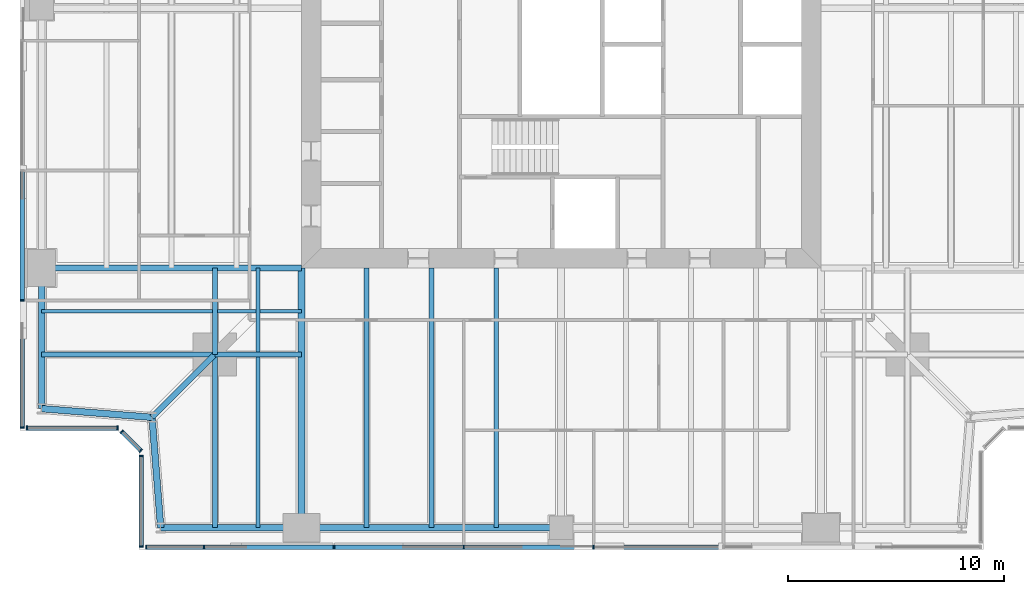
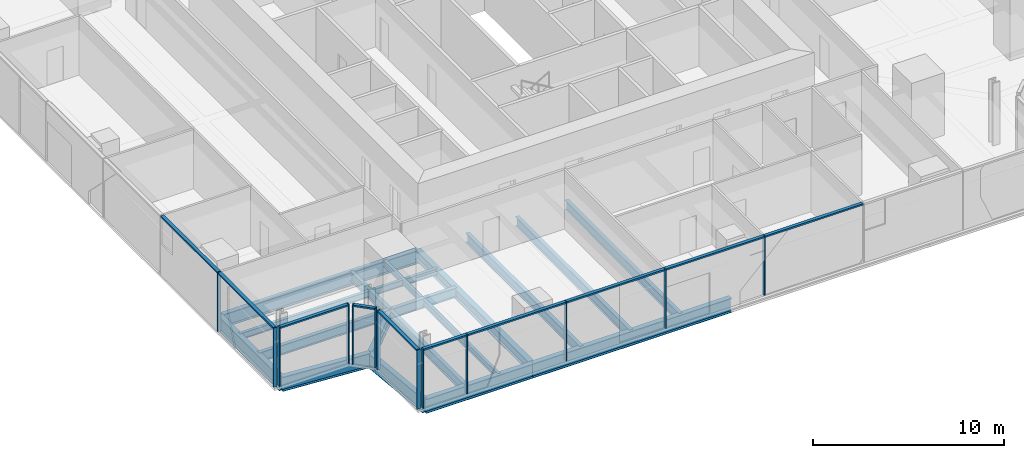
# One storey, part 2 of 15: 23 members, 20 beams, 5 elements without a shape of their own.
"""IFC4 building model written with IfcOpenShell, lengths in metres."""

from ifc_helpers import new_model, si_unit, direction, frame, origin, origin_2d, place, context, subcontext, project, spatial, rectangle, i_section, extrude, material, material_profile, profile_set, type_object, element, aggregate, save


model = new_model("IFC4")

# Units and contexts
model_context = context("Model", 3, precision=1e-05, world=origin(), true_north=direction((0.0, 1.0)))
body_context = subcontext(model_context, "Body", "Model", "MODEL_VIEW")
ifc_project = project(units=[si_unit("LENGTHUNIT", "METRE"), si_unit("AREAUNIT", "SQUARE_METRE"), si_unit("VOLUMEUNIT", "CUBIC_METRE"), si_unit("PLANEANGLEUNIT", "RADIAN"), si_unit("MASSUNIT", "GRAM", prefix="KILO")], contexts=[model_context])

# Site, building, storey
site_placement = place(None, origin())
site = spatial("IfcSite", under=ifc_project, at=site_placement, CompositionType="ELEMENT")
building_placement = place(site_placement, origin())
building = spatial("IfcBuilding", under=site, at=building_placement, Name="Fenwick Lantern Interchange", CompositionType="ELEMENT")
storey_placement = place(building_placement, frame((0.0, 0.0, 229.800048828125)))
storey = spatial("IfcBuildingStorey", under=building, at=storey_placement, Name="L54", CompositionType="ELEMENT", Elevation=229.800048828125)

# Beams
ifc_material_1 = material(Name="Steel ASTM A992 Grade 50", Category="steel")
ifc_material_profile_1 = material_profile(ifc_material_1, i_section(OverallWidth=0.3046875, OverallDepth=0.911865234375, WebThickness=0.015869140625, FlangeThickness=0.02392578125, at=origin_2d()), Name="W36X150")
ifc_profile_set_1 = profile_set([ifc_material_profile_1], Name="Steel ASTM A992 Grade 50")
beam_type_1 = type_object("IfcBeamType", Name="EDGE BEAM W36X150", PredefinedType="SPANDREL", material=ifc_profile_set_1)
beam_1_placement = place(storey_placement, frame((6.5, 1.0, -0.60595703125), z_axis=(1.0, 0.0, 0.0), x_axis=(0.0, 1.0, 0.0)))
element("IfcBeam", 1, at=beam_1_placement, inside=storey, type_object=beam_type_1, Name="L54/FR/S/EB1", PredefinedType="SPANDREL", context=body_context, shape_type="SweptSolid", body=[
    extrude(i_section(OverallWidth=0.3046875, OverallDepth=0.911865234375, WebThickness=0.015869140625, FlangeThickness=0.02392578125, at=origin_2d()), origin(), (0.0, 0.0, 1.0), 6.5),
])
beam_2_placement = place(storey_placement, frame((13.0, 1.0, -0.60595703125), z_axis=(1.0, 0.0, 0.0), x_axis=(0.0, 1.0, 0.0)))
element("IfcBeam", 2, at=beam_2_placement, inside=storey, type_object=beam_type_1, Name="L54/FR/S/EB2", PredefinedType="SPANDREL", context=body_context, shape_type="SweptSolid", body=[
    extrude(i_section(OverallWidth=0.3046875, OverallDepth=0.911865234375, WebThickness=0.015869140625, FlangeThickness=0.02392578125, at=origin_2d()), origin(), (0.0, 0.0, 1.0), 12.0),
])
beam_3_placement = place(storey_placement, frame((1.0, 13.0, -0.60595703125), z_axis=(0.0, -1.0, 0.0), x_axis=(1.0, 0.0, 0.0)))
element("IfcBeam", 3, at=beam_3_placement, inside=storey, type_object=beam_type_1, Name="L54/FR/W/EB4", PredefinedType="SPANDREL", context=body_context, shape_type="SweptSolid", body=[
    extrude(i_section(OverallWidth=0.3046875, OverallDepth=0.911865234375, WebThickness=0.015869140625, FlangeThickness=0.02392578125, at=origin_2d()), origin(), (0.0, 0.0, 1.0), 6.5),
])
for number, where, z_axis, x_axis, name in (
    (4, (1.0, 6.5, -0.60595703125), (0.99693998236, -0.078170784639, 0.0), (0.078170784639, 0.99693998236, 0.0), "L54/FR/W/EBR1"),
    (5, (6.10009765625, 6.10009765625, -0.60595703125), (0.078170784639, -0.99693998236, 0.0), (0.99693998236, 0.078170784639, 0.0), "L54/FR/W/EBR2"),
):
    element("IfcBeam", number, at=place(storey_placement, frame(where, z_axis=z_axis, x_axis=x_axis)), inside=storey, type_object=beam_type_1, Name=name, PredefinedType="SPANDREL", context=body_context, shape_type="SweptSolid", body=[
        extrude(i_section(OverallWidth=0.3046875, OverallDepth=0.911865234375, WebThickness=0.015869140625, FlangeThickness=0.02392578125, at=origin_2d()), origin(), (0.0, 0.0, 1.0), 5.11572265625),
    ])
ifc_material_profile_2 = material_profile(ifc_material_1, i_section(OverallWidth=0.22900390625, OverallDepth=0.612060546875, WebThickness=0.011962890625, FlangeThickness=0.01953125, at=origin_2d()), Name="W24X84")
ifc_profile_set_2 = profile_set([ifc_material_profile_2], Name="Steel ASTM A992 Grade 50")
beam_type_2 = type_object("IfcBeamType", Name="FLOOR BEAM W24X84", PredefinedType="BEAM", material=ifc_profile_set_2)
for number, where, z_axis, x_axis, name in (
    (6, (16.0, 1.0, -0.4560546875), (0.0, 1.0, 0.0), (-1.0, 0.0, 0.0), "L54/FR/S/R02"),
    (7, (19.0, 1.0, -0.4560546875), (0.0, 1.0, 0.0), (-1.0, 0.0, 0.0), "L54/FR/S/R03"),
    (8, (22.0, 1.0, -0.4560546875), (0.0, 1.0, 0.0), (-1.0, 0.0, 0.0), "L54/FR/S/R04"),
):
    element("IfcBeam", number, at=place(storey_placement, frame(where, z_axis=z_axis, x_axis=x_axis)), inside=storey, type_object=beam_type_2, Name=name, PredefinedType="BEAM", context=body_context, shape_type="SweptSolid", body=[
        extrude(i_section(OverallWidth=0.22900390625, OverallDepth=0.612060546875, WebThickness=0.011962890625, FlangeThickness=0.01953125, at=origin_2d()), origin(), (0.0, 0.0, 1.0), 12.0),
    ])
ifc_material_profile_3 = material_profile(ifc_material_1, i_section(OverallWidth=0.177734375, OverallDepth=0.406494140625, WebThickness=0.0078125, FlangeThickness=0.012939453125, at=origin_2d()), Name="W16X40")
ifc_profile_set_3 = profile_set([ifc_material_profile_3], Name="Steel ASTM A992 Grade 50")
beam_type_3 = type_object("IfcBeamType", Name="INFILL BEAM W16X40", PredefinedType="JOIST", material=ifc_profile_set_3)
beam_4_placement = place(storey_placement, frame((11.0, 1.0, -0.353271484375), z_axis=(0.0, 1.0, 0.0), x_axis=(-1.0, 0.0, 0.0)))
element("IfcBeam", 9, at=beam_4_placement, inside=storey, type_object=beam_type_3, Name="L54/FR/S/J1", PredefinedType="JOIST", context=body_context, shape_type="SweptSolid", body=[
    extrude(i_section(OverallWidth=0.177734375, OverallDepth=0.406494140625, WebThickness=0.0078125, FlangeThickness=0.012939453125, at=origin_2d()), origin(), (0.0, 0.0, 1.0), 7.885498046875),
])
beam_5_placement = place(storey_placement, frame((11.0, 9.114501953125, -0.353271484375), z_axis=(0.0, 1.0, 0.0), x_axis=(-1.0, 0.0, 0.0)))
element("IfcBeam", 10, at=beam_5_placement, inside=storey, type_object=beam_type_3, Name="L54/FR/S/J2", PredefinedType="JOIST", context=body_context, shape_type="SweptSolid", body=[
    extrude(i_section(OverallWidth=0.177734375, OverallDepth=0.406494140625, WebThickness=0.0078125, FlangeThickness=0.012939453125, at=origin_2d()), origin(), (0.0, 0.0, 1.0), 3.885498046875),
])
beam_6_placement = place(storey_placement, frame((1.0, 11.0, -0.353271484375), z_axis=(1.0, 0.0, 0.0), x_axis=(0.0, 1.0, 0.0)))
element("IfcBeam", 11, at=beam_6_placement, inside=storey, type_object=beam_type_3, Name="L54/FR/S/J3", PredefinedType="JOIST", context=body_context, shape_type="SweptSolid", body=[
    extrude(i_section(OverallWidth=0.177734375, OverallDepth=0.406494140625, WebThickness=0.0078125, FlangeThickness=0.012939453125, at=origin_2d()), origin(), (0.0, 0.0, 1.0), 7.885498046875),
])
beam_7_placement = place(storey_placement, frame((9.114501953125, 11.0, -0.353271484375), z_axis=(1.0, 0.0, 0.0), x_axis=(0.0, 1.0, 0.0)))
element("IfcBeam", 12, at=beam_7_placement, inside=storey, type_object=beam_type_3, Name="L54/FR/S/J4", PredefinedType="JOIST", context=body_context, shape_type="SweptSolid", body=[
    extrude(i_section(OverallWidth=0.177734375, OverallDepth=0.406494140625, WebThickness=0.0078125, FlangeThickness=0.012939453125, at=origin_2d()), origin(), (0.0, 0.0, 1.0), 1.796630859375),
])
beam_8_placement = place(storey_placement, frame((11.0888671875, 11.0, -0.353271484375), z_axis=(1.0, 0.0, 0.0), x_axis=(0.0, 1.0, 0.0)))
element("IfcBeam", 13, at=beam_8_placement, inside=storey, type_object=beam_type_3, Name="L54/FR/S/J5", PredefinedType="JOIST", context=body_context, shape_type="SweptSolid", body=[
    extrude(i_section(OverallWidth=0.177734375, OverallDepth=0.406494140625, WebThickness=0.0078125, FlangeThickness=0.012939453125, at=origin_2d()), origin(), (0.0, 0.0, 1.0), 1.9111328125),
])
ifc_material_profile_4 = material_profile(ifc_material_1, i_section(OverallWidth=0.22900390625, OverallDepth=0.612060546875, WebThickness=0.011962890625, FlangeThickness=0.01953125, at=origin_2d()), Name="W24X84")
ifc_profile_set_4 = profile_set([ifc_material_profile_4], Name="Steel ASTM A992 Grade 50")
beam_type_4 = type_object("IfcBeamType", Name="MEGA COLUMN BEAM W24X84", PredefinedType="BEAM", material=ifc_profile_set_4)
for number, where, z_axis, x_axis, name in (
    (14, (9.0, 9.0, -0.4560546875), (0.0, -1.0, 0.0), (1.0, 0.0, 0.0), "L54/FR/S/MB1"),
    (15, (9.0, 9.0, -0.4560546875), (-1.0, 0.0, 0.0), (0.0, -1.0, 0.0), "L54/FR/S/MB2"),
):
    element("IfcBeam", number, at=place(storey_placement, frame(where, z_axis=z_axis, x_axis=x_axis)), inside=storey, type_object=beam_type_4, Name=name, PredefinedType="BEAM", context=body_context, shape_type="SweptSolid", body=[
        extrude(i_section(OverallWidth=0.22900390625, OverallDepth=0.612060546875, WebThickness=0.011962890625, FlangeThickness=0.01953125, at=origin_2d()), origin(), (0.0, 0.0, 1.0), 8.0),
    ])
for number, where, z_axis, x_axis, name in (
    (16, (9.0, 9.0, -0.4560546875), (1.0, 0.0, 0.0), (0.0, 1.0, 0.0), "L54/FR/S/MB3"),
    (17, (9.0, 9.0, -0.4560546875), (0.0, 1.0, 0.0), (-1.0, 0.0, 0.0), "L54/FR/S/MB4"),
):
    element("IfcBeam", number, at=place(storey_placement, frame(where, z_axis=z_axis, x_axis=x_axis)), inside=storey, type_object=beam_type_4, Name=name, PredefinedType="BEAM", context=body_context, shape_type="SweptSolid", body=[
        extrude(i_section(OverallWidth=0.22900390625, OverallDepth=0.612060546875, WebThickness=0.011962890625, FlangeThickness=0.01953125, at=origin_2d()), origin(), (0.0, 0.0, 1.0), 4.0),
    ])
ifc_material_profile_5 = material_profile(ifc_material_1, i_section(OverallWidth=0.32763671875, OverallDepth=0.622314453125, WebThickness=0.015380859375, FlangeThickness=0.0244140625, at=origin_2d()), Name="W24X131")
ifc_profile_set_5 = profile_set([ifc_material_profile_5], Name="Steel ASTM A992 Grade 50")
beam_type_5 = type_object("IfcBeamType", Name="MOMENT-CONNECTED GIRDER W24X131", PredefinedType="BEAM", material=ifc_profile_set_5)
beam_9_placement = place(storey_placement, frame((13.0, 1.0, -0.461181640625), z_axis=(0.0, 1.0, 0.0), x_axis=(-1.0, 0.0, 0.0)))
element("IfcBeam", 18, at=beam_9_placement, inside=storey, type_object=beam_type_5, Name="L54/FR/S/R01", PredefinedType="BEAM", context=body_context, shape_type="SweptSolid", body=[
    extrude(i_section(OverallWidth=0.32763671875, OverallDepth=0.622314453125, WebThickness=0.015380859375, FlangeThickness=0.0244140625, at=origin_2d()), origin(), (0.0, 0.0, 1.0), 12.0),
])
ifc_material_profile_6 = material_profile(ifc_material_1, i_section(OverallWidth=0.2919921875, OverallDepth=0.845703125, WebThickness=0.015380859375, FlangeThickness=0.0244140625, at=origin_2d()), Name="W33X141")
ifc_profile_set_6 = profile_set([ifc_material_profile_6], Name="Steel ASTM A992 Grade 50")
beam_type_6 = type_object("IfcBeamType", Name="MOMENT-CONNECTED GIRDER W33X141", PredefinedType="BEAM", material=ifc_profile_set_6)
beam_10_placement = place(storey_placement, frame((1.0, 13.0, -0.572998046875), z_axis=(1.0, 0.0, 0.0), x_axis=(0.0, 1.0, 0.0)))
element("IfcBeam", 19, at=beam_10_placement, inside=storey, type_object=beam_type_6, Name="L54/FR/W/R03", PredefinedType="BEAM", context=body_context, shape_type="SweptSolid", body=[
    extrude(i_section(OverallWidth=0.2919921875, OverallDepth=0.845703125, WebThickness=0.015380859375, FlangeThickness=0.0244140625, at=origin_2d()), origin(), (0.0, 0.0, 1.0), 12.0),
])
ifc_material_profile_7 = material_profile(ifc_material_1, i_section(OverallWidth=0.2666015625, OverallDepth=0.7568359375, WebThickness=0.013916015625, FlangeThickness=0.019287109375, at=origin_2d()), Name="W30X108")
ifc_profile_set_7 = profile_set([ifc_material_profile_7], Name="Steel ASTM A992 Grade 50")
beam_type_7 = type_object("IfcBeamType", Name="NOTCH BEAM W30X108", PredefinedType="BEAM", material=ifc_profile_set_7)
beam_11_placement = place(storey_placement, frame((9.0, 9.0, -0.528564453125), z_axis=(-0.707106781187, -0.707106781187, 0.0), x_axis=(0.707106781187, -0.707106781187, 0.0)))
element("IfcBeam", 20, at=beam_11_placement, inside=storey, type_object=beam_type_7, Name="L54/FR/S/TG", PredefinedType="BEAM", context=body_context, shape_type="SweptSolid", body=[
    extrude(i_section(OverallWidth=0.2666015625, OverallDepth=0.7568359375, WebThickness=0.013916015625, FlangeThickness=0.019287109375, at=origin_2d()), origin(), (0.0, 0.0, 1.0), 4.10107421875),
])

# Curtain wall, members
ifc_material_2 = material(Name="Aluminium curtain wall frame", Category="aluminium")
curtain_wall_type = type_object("IfcCurtainWallType", Name="OFFICE CURTAIN WALL", PredefinedType="USERDEFINED", material=ifc_material_2)
curtain_wall_1_placement = place(storey_placement, origin())
curtain_wall_1 = element("IfcCurtainWall", 21, at=curtain_wall_1_placement, inside=storey, type_object=curtain_wall_type, Name="Office curtain wall 01", ObjectType="OFFICE CURTAIN WALL", PredefinedType="USERDEFINED")
ifc_material_3 = material(Name="Aluminium extrusion", Category="aluminium")
ifc_material_profile_8 = material_profile(ifc_material_3, rectangle(XDim=0.199951171875, YDim=0.06494140625, at=origin_2d()), Name="OFFICE CURTAIN WALL MULLION 65 X 200")
ifc_profile_set_8 = profile_set([ifc_material_profile_8], Name="Aluminium extrusion")
member_type_1 = type_object("IfcMemberType", Name="OFFICE CURTAIN WALL MULLION 65 X 200", PredefinedType="MULLION", material=ifc_profile_set_8)
member_1_placement = place(storey_placement, frame((5.83251953125, 0.10009765625, 0.0), z_axis=(0.0, 0.0, 1.0), x_axis=(0.0, 1.0, 0.0)))
member_1 = element("IfcMember", 22, at=member_1_placement, type_object=member_type_1, Name="L54/CW/01/M00", PredefinedType="MULLION", context=body_context, shape_type="SweptSolid", body=[
    extrude(rectangle(XDim=0.199951171875, YDim=0.06494140625, at=origin_2d()), origin(), (0.0, 0.0, 1.0), 3.800048828125),
])
member_2_placement = place(storey_placement, frame((8.5, 0.10009765625, 0.0), z_axis=(0.0, 0.0, 1.0), x_axis=(0.0, 1.0, 0.0)))
member_2 = element("IfcMember", 23, at=member_2_placement, type_object=member_type_1, Name="L54/CW/01/M01", PredefinedType="MULLION", context=body_context, shape_type="SweptSolid", body=[
    extrude(rectangle(XDim=0.199951171875, YDim=0.06494140625, at=origin_2d()), origin(), (0.0, 0.0, 1.0), 3.800048828125),
])
member_3_placement = place(storey_placement, frame((14.5, 0.10009765625, 0.0), z_axis=(0.0, 0.0, 1.0), x_axis=(0.0, 1.0, 0.0)))
member_3 = element("IfcMember", 24, at=member_3_placement, type_object=member_type_1, Name="L54/CW/01/M02", PredefinedType="MULLION", context=body_context, shape_type="SweptSolid", body=[
    extrude(rectangle(XDim=0.199951171875, YDim=0.06494140625, at=origin_2d()), origin(), (0.0, 0.0, 1.0), 3.800048828125),
])
member_4_placement = place(storey_placement, frame((20.5, 0.10009765625, 0.0), z_axis=(0.0, 0.0, 1.0), x_axis=(0.0, 1.0, 0.0)))
member_4 = element("IfcMember", 25, at=member_4_placement, type_object=member_type_1, Name="L54/CW/01/M03", PredefinedType="MULLION", context=body_context, shape_type="SweptSolid", body=[
    extrude(rectangle(XDim=0.199951171875, YDim=0.06494140625, at=origin_2d()), origin(), (0.0, 0.0, 1.0), 3.800048828125),
])
member_5_placement = place(storey_placement, frame((26.5, 0.10009765625, 0.0), z_axis=(0.0, 0.0, 1.0), x_axis=(0.0, 1.0, 0.0)))
member_5 = element("IfcMember", 26, at=member_5_placement, type_object=member_type_1, Name="L54/CW/01/M04", PredefinedType="MULLION", context=body_context, shape_type="SweptSolid", body=[
    extrude(rectangle(XDim=0.199951171875, YDim=0.06494140625, at=origin_2d()), origin(), (0.0, 0.0, 1.0), 3.800048828125),
])

curtain_wall_2_placement = place(storey_placement, origin())
curtain_wall_2 = element("IfcCurtainWall", 27, at=curtain_wall_2_placement, inside=storey, type_object=curtain_wall_type, Name="Office curtain wall 13", ObjectType="OFFICE CURTAIN WALL", PredefinedType="USERDEFINED")
member_6_placement = place(storey_placement, frame((0.10009765625, 11.5, 0.0), z_axis=(0.0, 0.0, 1.0), x_axis=(1.0, 0.0, 0.0)))
member_6 = element("IfcMember", 28, at=member_6_placement, type_object=member_type_1, Name="L54/CW/13/M06", PredefinedType="MULLION", context=body_context, shape_type="SweptSolid", body=[
    extrude(rectangle(XDim=0.199951171875, YDim=0.06494140625, at=origin_2d()), origin(), (0.0, 0.0, 1.0), 3.800048828125),
])
member_7_placement = place(storey_placement, frame((0.10009765625, 5.632568359375, 0.0), z_axis=(0.0, 0.0, 1.0), x_axis=(1.0, 0.0, 0.0)))
member_7 = element("IfcMember", 29, at=member_7_placement, type_object=member_type_1, Name="L54/CW/13/M07", PredefinedType="MULLION", context=body_context, shape_type="SweptSolid", body=[
    extrude(rectangle(XDim=0.199951171875, YDim=0.06494140625, at=origin_2d()), origin(), (0.0, 0.0, 1.0), 3.800048828125),
])

curtain_wall_3_placement = place(storey_placement, origin())
curtain_wall_3 = element("IfcCurtainWall", 30, at=curtain_wall_3_placement, inside=storey, type_object=curtain_wall_type, Name="Office curtain wall 14", ObjectType="OFFICE CURTAIN WALL", PredefinedType="USERDEFINED")
member_8_placement = place(storey_placement, frame((0.33251953125, 5.60009765625, 0.0), z_axis=(0.0, 0.0, 1.0), x_axis=(0.0, 1.0, 0.0)))
member_8 = element("IfcMember", 31, at=member_8_placement, type_object=member_type_1, Name="L54/CW/14/M00", PredefinedType="MULLION", context=body_context, shape_type="SweptSolid", body=[
    extrude(rectangle(XDim=0.199951171875, YDim=0.06494140625, at=origin_2d()), origin(), (0.0, 0.0, 1.0), 3.800048828125),
])
member_9_placement = place(storey_placement, frame((4.509033203125, 5.60009765625, 0.0), z_axis=(0.0, 0.0, 1.0), x_axis=(0.0, 1.0, 0.0)))
member_9 = element("IfcMember", 32, at=member_9_placement, type_object=member_type_1, Name="L54/CW/14/M01", PredefinedType="MULLION", context=body_context, shape_type="SweptSolid", body=[
    extrude(rectangle(XDim=0.199951171875, YDim=0.06494140625, at=origin_2d()), origin(), (0.0, 0.0, 1.0), 3.800048828125),
])

curtain_wall_4_placement = place(storey_placement, origin())
curtain_wall_4 = element("IfcCurtainWall", 33, at=curtain_wall_4_placement, inside=storey, type_object=curtain_wall_type, Name="Office curtain wall 15", ObjectType="OFFICE CURTAIN WALL", PredefinedType="USERDEFINED")
member_10_placement = place(storey_placement, frame((4.705810546875, 5.435546875, 0.0), z_axis=(0.0, 0.0, 1.0), x_axis=(0.707106781187, 0.707106781187, 0.0)))
member_10 = element("IfcMember", 34, at=member_10_placement, type_object=member_type_1, Name="L54/CW/15/M00", PredefinedType="MULLION", context=body_context, shape_type="SweptSolid", body=[
    extrude(rectangle(XDim=0.199951171875, YDim=0.06494140625, at=origin_2d()), origin(), (0.0, 0.0, 1.0), 3.800048828125),
])
member_11_placement = place(storey_placement, frame((5.576904296875, 4.564453125, 0.0), z_axis=(0.0, 0.0, 1.0), x_axis=(0.707106781187, 0.707106781187, 0.0)))
member_11 = element("IfcMember", 35, at=member_11_placement, type_object=member_type_1, Name="L54/CW/15/M01", PredefinedType="MULLION", context=body_context, shape_type="SweptSolid", body=[
    extrude(rectangle(XDim=0.199951171875, YDim=0.06494140625, at=origin_2d()), origin(), (0.0, 0.0, 1.0), 3.800048828125),
])

curtain_wall_5_placement = place(storey_placement, origin())
curtain_wall_5 = element("IfcCurtainWall", 36, at=curtain_wall_5_placement, inside=storey, type_object=curtain_wall_type, Name="Office curtain wall 16", ObjectType="OFFICE CURTAIN WALL", PredefinedType="USERDEFINED")
member_12_placement = place(storey_placement, frame((5.60009765625, 4.308837890625, 0.0), z_axis=(0.0, 0.0, 1.0), x_axis=(1.0, 0.0, 0.0)))
member_12 = element("IfcMember", 37, at=member_12_placement, type_object=member_type_1, Name="L54/CW/16/M00", PredefinedType="MULLION", context=body_context, shape_type="SweptSolid", body=[
    extrude(rectangle(XDim=0.199951171875, YDim=0.06494140625, at=origin_2d()), origin(), (0.0, 0.0, 1.0), 3.800048828125),
])
member_13_placement = place(storey_placement, frame((5.60009765625, 0.132568359375, 0.0), z_axis=(0.0, 0.0, 1.0), x_axis=(1.0, 0.0, 0.0)))
member_13 = element("IfcMember", 38, at=member_13_placement, type_object=member_type_1, Name="L54/CW/16/M01", PredefinedType="MULLION", context=body_context, shape_type="SweptSolid", body=[
    extrude(rectangle(XDim=0.199951171875, YDim=0.06494140625, at=origin_2d()), origin(), (0.0, 0.0, 1.0), 3.800048828125),
])

# Member
ifc_material_profile_9 = material_profile(ifc_material_3, rectangle(XDim=0.199951171875, YDim=0.10009765625, at=origin_2d()), Name="OFFICE CURTAIN WALL TRANSOM 100 X 200")
ifc_profile_set_9 = profile_set([ifc_material_profile_9], Name="Aluminium extrusion")
member_type_2 = type_object("IfcMemberType", Name="OFFICE CURTAIN WALL TRANSOM 100 X 200", PredefinedType="MULLION", material=ifc_profile_set_9)
member_14_placement = place(storey_placement, frame((5.864990234375, 0.10009765625, 3.75), z_axis=(1.0, 0.0, 0.0), x_axis=(0.0, 1.0, 0.0)))
member_14 = element("IfcMember", 39, at=member_14_placement, type_object=member_type_2, Name="L54/CW/01/T00", PredefinedType="MULLION", context=body_context, shape_type="SweptSolid", body=[
    extrude(rectangle(XDim=0.199951171875, YDim=0.10009765625, at=origin_2d()), origin(), (0.0, 0.0, 1.0), 2.6025390625),
])

member_15_placement = place(storey_placement, frame((8.532470703125, 0.10009765625, 3.75), z_axis=(1.0, 0.0, 0.0), x_axis=(0.0, 1.0, 0.0)))
member_15 = element("IfcMember", 40, at=member_15_placement, type_object=member_type_2, Name="L54/CW/01/T01", PredefinedType="MULLION", context=body_context, shape_type="SweptSolid", body=[
    extrude(rectangle(XDim=0.199951171875, YDim=0.10009765625, at=origin_2d()), origin(), (0.0, 0.0, 1.0), 5.93505859375),
])

member_16_placement = place(storey_placement, frame((14.532470703125, 0.10009765625, 3.75), z_axis=(1.0, 0.0, 0.0), x_axis=(0.0, 1.0, 0.0)))
member_16 = element("IfcMember", 41, at=member_16_placement, type_object=member_type_2, Name="L54/CW/01/T02", PredefinedType="MULLION", context=body_context, shape_type="SweptSolid", body=[
    extrude(rectangle(XDim=0.199951171875, YDim=0.10009765625, at=origin_2d()), origin(), (0.0, 0.0, 1.0), 5.93505859375),
])

member_17_placement = place(storey_placement, frame((20.532470703125, 0.10009765625, 3.75), z_axis=(1.0, 0.0, 0.0), x_axis=(0.0, 1.0, 0.0)))
member_17 = element("IfcMember", 42, at=member_17_placement, type_object=member_type_2, Name="L54/CW/01/T03", PredefinedType="MULLION", context=body_context, shape_type="SweptSolid", body=[
    extrude(rectangle(XDim=0.199951171875, YDim=0.10009765625, at=origin_2d()), origin(), (0.0, 0.0, 1.0), 5.93505859375),
])

member_18_placement = place(storey_placement, frame((26.532470703125, 0.10009765625, 3.75), z_axis=(1.0, 0.0, 0.0), x_axis=(0.0, 1.0, 0.0)))
member_18 = element("IfcMember", 43, at=member_18_placement, type_object=member_type_2, Name="L54/CW/01/T04", PredefinedType="MULLION", context=body_context, shape_type="SweptSolid", body=[
    extrude(rectangle(XDim=0.199951171875, YDim=0.10009765625, at=origin_2d()), origin(), (0.0, 0.0, 1.0), 5.93505859375),
])

aggregate(curtain_wall_1, [member_1, member_2, member_3, member_4, member_5, member_14, member_15, member_16, member_17, member_18])

member_19_placement = place(storey_placement, frame((0.10009765625, 17.467529296875, 3.75), z_axis=(0.0, -1.0, 0.0), x_axis=(1.0, 0.0, 0.0)))
member_19 = element("IfcMember", 44, at=member_19_placement, type_object=member_type_2, Name="L54/CW/13/T05", PredefinedType="MULLION", context=body_context, shape_type="SweptSolid", body=[
    extrude(rectangle(XDim=0.199951171875, YDim=0.10009765625, at=origin_2d()), origin(), (0.0, 0.0, 1.0), 5.93505859375),
])

member_20_placement = place(storey_placement, frame((0.10009765625, 11.467529296875, 3.75), z_axis=(0.0, -1.0, 0.0), x_axis=(1.0, 0.0, 0.0)))
member_20 = element("IfcMember", 45, at=member_20_placement, type_object=member_type_2, Name="L54/CW/13/T06", PredefinedType="MULLION", context=body_context, shape_type="SweptSolid", body=[
    extrude(rectangle(XDim=0.199951171875, YDim=0.10009765625, at=origin_2d()), origin(), (0.0, 0.0, 1.0), 5.802490234375),
])

aggregate(curtain_wall_2, [member_6, member_7, member_19, member_20])

member_21_placement = place(storey_placement, frame((0.364990234375, 5.60009765625, 3.75), z_axis=(1.0, 0.0, 0.0), x_axis=(0.0, 1.0, 0.0)))
member_21 = element("IfcMember", 46, at=member_21_placement, type_object=member_type_2, Name="L54/CW/14/T00", PredefinedType="MULLION", context=body_context, shape_type="SweptSolid", body=[
    extrude(rectangle(XDim=0.199951171875, YDim=0.10009765625, at=origin_2d()), origin(), (0.0, 0.0, 1.0), 4.111328125),
])

aggregate(curtain_wall_3, [member_8, member_9, member_21])

member_22_placement = place(storey_placement, frame((4.728759765625, 5.41259765625, 3.75), z_axis=(0.707106781187, -0.707106781187, 0.0), x_axis=(0.707106781187, 0.707106781187, 0.0)))
member_22 = element("IfcMember", 47, at=member_22_placement, type_object=member_type_2, Name="L54/CW/15/T00", PredefinedType="MULLION", context=body_context, shape_type="SweptSolid", body=[
    extrude(rectangle(XDim=0.199951171875, YDim=0.10009765625, at=origin_2d()), origin(), (0.0, 0.0, 1.0), 1.1669921875),
])

aggregate(curtain_wall_4, [member_10, member_11, member_22])

member_23_placement = place(storey_placement, frame((5.60009765625, 4.2763671875, 3.75), z_axis=(0.0, -1.0, 0.0), x_axis=(1.0, 0.0, 0.0)))
member_23 = element("IfcMember", 48, at=member_23_placement, type_object=member_type_2, Name="L54/CW/16/T00", PredefinedType="MULLION", context=body_context, shape_type="SweptSolid", body=[
    extrude(rectangle(XDim=0.199951171875, YDim=0.10009765625, at=origin_2d()), origin(), (0.0, 0.0, 1.0), 4.111328125),
])

aggregate(curtain_wall_5, [member_12, member_13, member_23])

save(model, "model.ifc")
